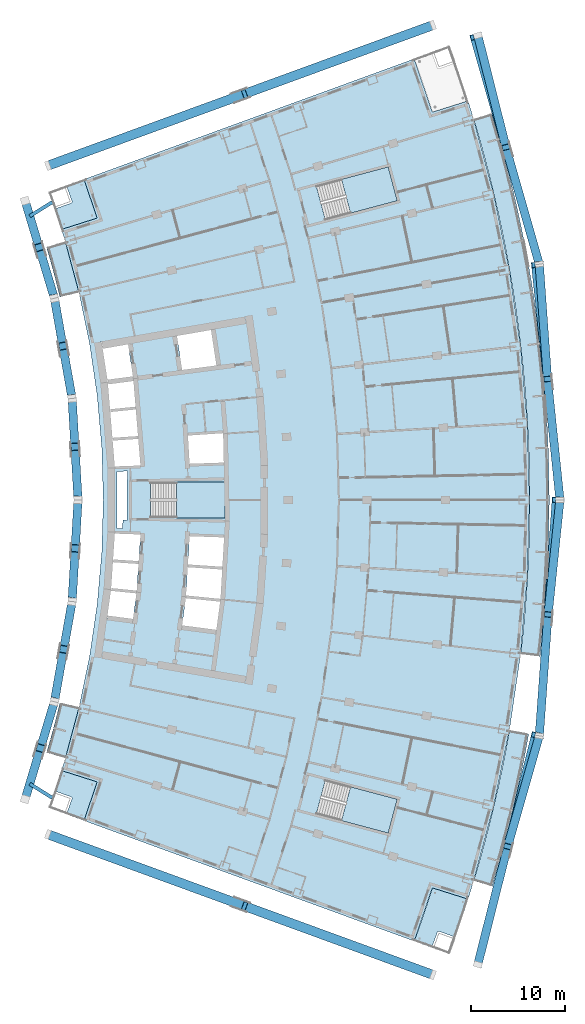
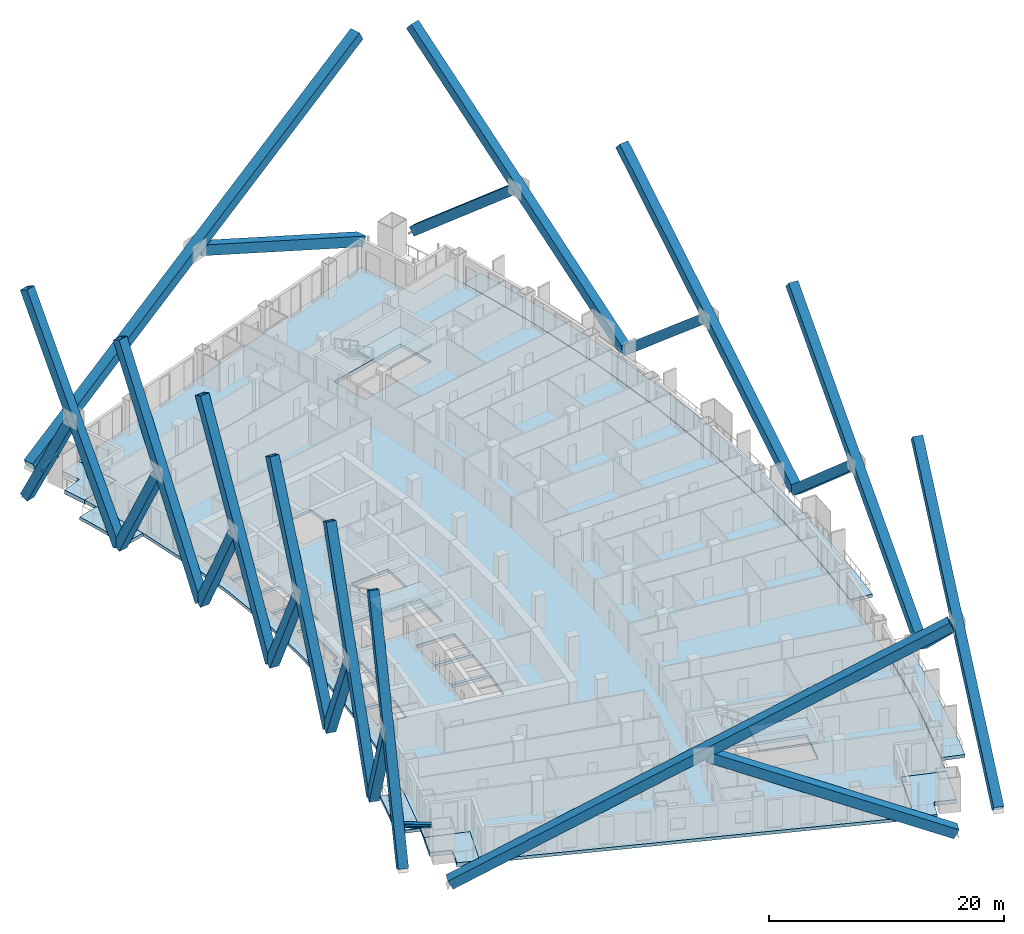
# One storey, part 9 of 24: 26 members, 11 slabs, 3 elements without a shape of their own.
"""IFC4 building model written with IfcOpenShell, lengths in metres."""

import ifcopenshell
import ifcopenshell.guid

model = None  # the IFC model being written
_history = None  # IfcOwnerHistory: only IFC2X3 demands one
_inside = {}  # id of a spatial element -> (the spatial element, [elements in it])
_under = {}  # id of a project, library or spatial element -> (it, [spatial elements below it])
_declared = {}  # id of a project -> (the project, [libraries it declares])
_typed = {}  # id of a type object -> (the type object, [elements of that type])
_made_of = {}  # id of a material, layer set ... -> (it, [elements and type objects made of it])


def new_model(schema):
    """Start an empty IFC model of exactly this schema.

    Asked for "IFC4X3", IfcOpenShell would pick the latest addendum, in which some entities
    have other attributes; the version numbers below select the first issue.
    IFC2X3 requires an IfcOwnerHistory on every rooted entity: one is made here for all.
    """
    global model, _history
    if schema == "IFC4X3":
        model = ifcopenshell.file(schema_version=(4, 3, 0, 0))
    else:
        model = ifcopenshell.file(schema=schema)
    _inside.clear()
    _under.clear()
    _declared.clear()
    _typed.clear()
    _made_of.clear()
    _history = None
    if model.schema == "IFC2X3":
        org = make("IfcOrganization", Name="unknown")
        user = make(
            "IfcPersonAndOrganization",
            ThePerson=make("IfcPerson", FamilyName="unknown"),
            TheOrganization=org,
        )
        app = make(
            "IfcApplication",
            ApplicationDeveloper=org,
            Version="unknown",
            ApplicationFullName="unknown",
            ApplicationIdentifier="unknown",
        )
        _history = make(
            "IfcOwnerHistory",
            OwningUser=user,
            OwningApplication=app,
            ChangeAction="ADDED",
            CreationDate=0,
        )
    return model


def make(cls, **values):
    """One entity of the class cls with the attributes given. An attribute that is None is left unset."""
    return model.create_entity(
        cls, **{name: value for name, value in values.items() if value is not None}
    )


def rooted(cls, **values):
    """An entity with a GlobalId (a new one), such as an element, a storey or a relation."""
    return make(cls, GlobalId=ifcopenshell.guid.new(), OwnerHistory=_history, **values)


def si_unit(unit_type, name, prefix=None):
    """IfcSIUnit, for example si_unit("LENGTHUNIT", "METRE", prefix="MILLI")."""
    return make("IfcSIUnit", UnitType=unit_type, Prefix=prefix, Name=name)


def assignment(units):
    """IfcUnitAssignment: the units of a project."""
    return None if units is None else make("IfcUnitAssignment", Units=units)


def point(xyz):
    """IfcCartesianPoint."""
    return None if xyz is None else make("IfcCartesianPoint", Coordinates=xyz)


def direction(xyz):
    """IfcDirection."""
    return None if xyz is None else make("IfcDirection", DirectionRatios=xyz)


def frame(location, z_axis=None, x_axis=None):
    """IfcAxis2Placement3D, a coordinate frame: its origin and axes. An axis left out is left unset."""
    return make(
        "IfcAxis2Placement3D",
        Location=point(location),
        Axis=direction(z_axis),
        RefDirection=direction(x_axis),
    )


def frame_2d(location, x_axis=None):
    """IfcAxis2Placement2D, a coordinate frame in the plane: its origin and x axis."""
    return make(
        "IfcAxis2Placement2D", Location=point(location), RefDirection=direction(x_axis)
    )


def origin():
    """The frame at (0, 0, 0) with its axes left unset."""
    return frame((0.0, 0.0, 0.0))


def origin_2d():
    """The frame at (0, 0) in the plane with its x axis left unset."""
    return frame_2d((0.0, 0.0))


def place(relative_to, where):
    """IfcLocalPlacement: puts the frame where relative to a parent placement (None: the world)."""
    return make(
        "IfcLocalPlacement", PlacementRelTo=relative_to, RelativePlacement=where
    )


def context(
    kind, dimensions, precision=None, world=None, true_north=None, identifier=None
):
    """IfcGeometricRepresentationContext, for example the 3D "Model" context."""
    return make(
        "IfcGeometricRepresentationContext",
        ContextIdentifier=identifier,
        ContextType=kind,
        CoordinateSpaceDimension=dimensions,
        Precision=precision,
        WorldCoordinateSystem=world,
        TrueNorth=true_north,
    )


def subcontext(parent, identifier, kind, view, scale=None):
    """IfcGeometricRepresentationSubContext, for example "Body" below "Model"."""
    return make(
        "IfcGeometricRepresentationSubContext",
        ContextIdentifier=identifier,
        ContextType=kind,
        ParentContext=parent,
        TargetScale=scale,
        TargetView=view,
    )


def project(units=None, contexts=None):
    """IfcProject with its units and contexts."""
    return rooted(
        "IfcProject",
        Name="project",
        RepresentationContexts=contexts,
        UnitsInContext=assignment(units),
    )


def spatial(cls, under=None, at=None, **own):
    """A site, building, storey or space (cls), placed at a placement, below another one or the project."""
    s = rooted(cls, ObjectPlacement=at, **own)
    if under is not None:
        _under.setdefault(under.id(), (under, []))[1].append(s)
    return s


def polyline(points):
    """IfcPolyline through the points."""
    return make("IfcPolyline", Points=[point(p) for p in points])


def profile(cls, at=None, kind="AREA", **sizes):
    """A parametric profile (cls). Its sizes go by their IFC names, for example OverallWidth=200.0."""
    return make(cls, ProfileType=kind, Position=at, **sizes)


def hollow_rectangle(**sizes):
    """IfcRectangleHollowProfileDef."""
    return profile("IfcRectangleHollowProfileDef", **sizes)


def i_section(**sizes):
    """IfcIShapeProfileDef."""
    return profile("IfcIShapeProfileDef", **sizes)


def outline(outer, holes=None, kind="AREA"):
    """IfcArbitraryClosedProfileDef: a profile drawn as a closed curve; with holes, ...WithVoids."""
    if holes is None:
        return make("IfcArbitraryClosedProfileDef", ProfileType=kind, OuterCurve=outer)
    return make(
        "IfcArbitraryProfileDefWithVoids",
        ProfileType=kind,
        OuterCurve=outer,
        InnerCurves=holes,
    )


def extrude(swept, where, along, depth):
    """IfcExtrudedAreaSolid: the profile swept, set in the frame where, extruded along a direction by depth."""
    return make(
        "IfcExtrudedAreaSolid",
        SweptArea=swept,
        Position=where,
        ExtrudedDirection=direction(along),
        Depth=depth,
    )


def shape(context_of_items, identifier, shape_type, items):
    """IfcShapeRepresentation: the items that make up one representation, for example the "Body"."""
    return make(
        "IfcShapeRepresentation",
        ContextOfItems=context_of_items,
        RepresentationIdentifier=identifier,
        RepresentationType=shape_type,
        Items=items,
    )


def material(Name=None, Category=None):
    """IfcMaterial."""
    return make("IfcMaterial", Name=Name, Category=Category)


def layer(
    of_material, thickness, ventilated=None, Name=None, Category=None, Priority=None
):
    """IfcMaterialLayer: one layer of a wall or slab, of a material (None: an air gap)."""
    return make(
        "IfcMaterialLayer",
        Material=of_material,
        LayerThickness=thickness,
        IsVentilated=ventilated,
        Name=Name,
        Category=Category,
        Priority=Priority,
    )


def layer_set(layers, Name=None):
    """IfcMaterialLayerSet."""
    return make("IfcMaterialLayerSet", MaterialLayers=layers, LayerSetName=Name)


def material_profile(
    of_material, cross_section, Name=None, Category=None, Priority=None
):
    """IfcMaterialProfile: a cross section and its material."""
    return make(
        "IfcMaterialProfile",
        Name=Name,
        Material=of_material,
        Profile=cross_section,
        Priority=Priority,
        Category=Category,
    )


def profile_set(profiles, Name=None, composite=None):
    """IfcMaterialProfileSet."""
    return make(
        "IfcMaterialProfileSet",
        Name=Name,
        MaterialProfiles=profiles,
        CompositeProfile=composite,
    )


def made_of(thing, what):
    """Note that an element or type object is made of a material, layer set ...; save() writes the relation."""
    if what is not None:
        _made_of.setdefault(what.id(), (what, []))[1].append(thing)
    return thing


def type_object(cls, material=None, **own):
    """A type object (cls), such as IfcWallType, which elements share."""
    return made_of(rooted(cls, **own), material)


def element(
    cls,
    number,
    at=None,
    inside=None,
    cuts=None,
    type_object=None,
    material=None,
    context=None,
    identifier="Body",
    shape_type=None,
    held_by="IfcProductDefinitionShape",
    body=None,
    shapes=None,
    **own,
):
    """One element of the class cls, such as IfcWall. Its Tag is "e" and its number.

    at: its placement. inside: the storey or other place that contains it. cuts: it is an
    opening in that element (IfcRelVoidsElement). A single representation is given by context,
    identifier, shape_type and body (its items); several are given by shapes. held_by: the class
    of the entity that holds the representations. save() writes the other relations.
    """
    e = rooted(cls, Tag="e%d" % number, ObjectPlacement=at, **own)
    if body is not None:
        shapes = [shape(context, identifier, shape_type, body)]
    if shapes is not None:
        e.Representation = make(held_by, Representations=shapes)
    if inside is not None:
        _inside.setdefault(inside.id(), (inside, []))[1].append(e)
    if cuts is not None:
        rooted(
            "IfcRelVoidsElement", RelatingBuildingElement=cuts, RelatedOpeningElement=e
        )
    if type_object is not None:
        _typed.setdefault(type_object.id(), (type_object, []))[1].append(e)
    return made_of(e, material)


def aggregate(whole, parts):
    """IfcRelAggregates: a whole, such as a stair, and the parts it consists of."""
    return rooted("IfcRelAggregates", RelatingObject=whole, RelatedObjects=parts)


def save(model, path):
    """Write the relations noted so far, then the file.

    IfcRelAggregates (storeys below a building ...), IfcRelContainedInSpatialStructure (elements
    in a storey), IfcRelDefinesByType, IfcRelAssociatesMaterial and IfcRelDeclares: one each for
    every whole, place, type object, material and project.
    """
    for whole, parts in _under.values():
        aggregate(whole, parts)
    for where, things in _inside.values():
        rooted(
            "IfcRelContainedInSpatialStructure",
            RelatedElements=things,
            RelatingStructure=where,
        )
    for kind, things in _typed.values():
        rooted("IfcRelDefinesByType", RelatedObjects=things, RelatingType=kind)
    for what, things in _made_of.values():
        rooted("IfcRelAssociatesMaterial", RelatedObjects=things, RelatingMaterial=what)
    for by, libraries in _declared.values():
        rooted("IfcRelDeclares", RelatingContext=by, RelatedDefinitions=libraries)
    model.write(path)


model = new_model("IFC4")

# Units and contexts
model_context = context("Model", 3, precision=1e-05, world=origin(), true_north=direction((0.0, 1.0)))
body_context = subcontext(model_context, "Body", "Model", "MODEL_VIEW")
ifc_project = project(units=[si_unit("LENGTHUNIT", "METRE"), si_unit("AREAUNIT", "SQUARE_METRE"), si_unit("VOLUMEUNIT", "CUBIC_METRE"), si_unit("PLANEANGLEUNIT", "RADIAN"), si_unit("MASSUNIT", "GRAM", prefix="KILO")], contexts=[model_context])

# Site, building, storey
site_placement = place(None, origin())
site = spatial("IfcSite", under=ifc_project, at=site_placement, CompositionType="ELEMENT")
building_placement = place(site_placement, origin())
building = spatial("IfcBuilding", under=site, at=building_placement, Name="Alderwake Tower", CompositionType="ELEMENT")
storey_placement = place(building_placement, frame((0.0, 0.0, 104.0)))
storey = spatial("IfcBuildingStorey", under=building, at=storey_placement, Name="L25", CompositionType="ELEMENT", Elevation=104.0)

# Members
ifc_material_1 = material(Name="Steel ASTM A992 Grade 50", Category="steel")
ifc_material_profile_1 = material_profile(ifc_material_1, i_section(OverallWidth=0.3740234375, OverallDepth=0.372314453125, WebThickness=0.016357421875, FlangeThickness=0.026123046875, at=origin_2d()), Name="W14X132")
ifc_profile_set_1 = profile_set([ifc_material_profile_1], Name="Steel ASTM A992 Grade 50")
member_type_1 = type_object("IfcMemberType", Name="Brace node stub W14X132", PredefinedType="MEMBER", material=ifc_profile_set_1)
for number, where, z_axis, x_axis, name in (
    (1, (10.557861328125, 29.140625, 3.393798828125), (-0.849591221683, 0.527441708665, 0.0), (-0.527441708665, -0.849591221683, 0.0), "Brace node stub BS.RR01-C0.1076"),
    (2, (10.557861328125, 92.859375, 3.393798828125), (-0.849591221683, -0.527441708665, 0.0), (0.527441708665, -0.849591221683, 0.0), "Brace node stub BS.RR13-C0.1076"),
):
    element("IfcMember", number, at=place(storey_placement, frame(where, z_axis=z_axis, x_axis=x_axis)), inside=storey, type_object=member_type_1, Name=name, PredefinedType="MEMBER", context=body_context, shape_type="SweptSolid", body=[
        extrude(i_section(OverallWidth=0.3740234375, OverallDepth=0.372314453125, WebThickness=0.016357421875, FlangeThickness=0.026123046875, at=origin_2d()), origin(), (0.0, 0.0, 1.0), 2.851806640625),
    ])
ifc_material_2 = material(Name="Steel ASTM A572 Grade 50", Category="steel")
ifc_material_profile_2 = material_profile(ifc_material_2, hollow_rectangle(XDim=1.0, YDim=1.0, WallThickness=0.06005859375, at=origin_2d()), Name="BOX 1000X1000X60")
ifc_profile_set_2 = profile_set([ifc_material_profile_2], Name="Steel ASTM A572 Grade 50")
member_type_2 = type_object("IfcMemberType", Name="Mega brace end Z2", PredefinedType="BRACE", material=ifc_profile_set_2)
member_1_placement = place(storey_placement, frame((10.099365234375, 25.23681640625, 0.0), z_axis=(0.840973164209, -0.306980460974, 0.445563837919), x_axis=(0.342899081581, 0.939372247754, 0.0)))
element("IfcMember", 3, at=member_1_placement, inside=storey, type_object=member_type_2, Name="Brace BRS2.2.0A", PredefinedType="BRACE", context=body_context, shape_type="SweptSolid", body=[
    extrude(hollow_rectangle(XDim=1.0, YDim=1.0, WallThickness=0.06005859375, at=origin_2d()), origin(), (0.0, 0.0, 1.0), 48.47802734375),
])
member_2_placement = place(storey_placement, frame((51.243896484375, 10.218017578125, 0.0), z_axis=(-0.842498386145, 0.307526723877, 0.442293775047), x_axis=(-0.342888761645, -0.939376014777, 0.0)))
element("IfcMember", 4, at=member_2_placement, inside=storey, type_object=member_type_2, Name="Brace BRS2.2.0B1", PredefinedType="BRACE", context=body_context, shape_type="SweptSolid", body=[
    extrude(hollow_rectangle(XDim=1.0, YDim=1.0, WallThickness=0.06005859375, at=origin_2d()), origin(), (0.0, 0.0, 1.0), 23.898193359375),
])
member_3_placement = place(storey_placement, frame((10.099365234375, 96.76318359375, 0.0), z_axis=(0.840973164209, 0.306980460974, 0.445563837919), x_axis=(-0.342899081581, 0.939372247754, 0.0)))
element("IfcMember", 5, at=member_3_placement, inside=storey, type_object=member_type_2, Name="Brace BRN2.2.0A", PredefinedType="BRACE", context=body_context, shape_type="SweptSolid", body=[
    extrude(hollow_rectangle(XDim=1.0, YDim=1.0, WallThickness=0.06005859375, at=origin_2d()), origin(), (0.0, 0.0, 1.0), 48.47802734375),
])
member_4_placement = place(storey_placement, frame((51.243896484375, 111.781982421875, 0.0), z_axis=(-0.842498386145, -0.307526723877, 0.442293775047), x_axis=(0.342888761645, -0.939376014777, 0.0)))
element("IfcMember", 6, at=member_4_placement, inside=storey, type_object=member_type_2, Name="Brace BRN2.2.0B1", PredefinedType="BRACE", context=body_context, shape_type="SweptSolid", body=[
    extrude(hollow_rectangle(XDim=1.0, YDim=1.0, WallThickness=0.06005859375, at=origin_2d()), origin(), (0.0, 0.0, 1.0), 23.898193359375),
])
ifc_material_3 = material(Name="Steel ASTM A572 Grade 50", Category="steel")
ifc_material_profile_3 = material_profile(ifc_material_3, hollow_rectangle(XDim=0.89990234375, YDim=0.89990234375, WallThickness=0.054931640625, at=origin_2d()), Name="BOX 900X900X55")
ifc_profile_set_3 = profile_set([ifc_material_profile_3], Name="Steel ASTM A572 Grade 50")
member_type_3 = type_object("IfcMemberType", Name="Mega brace face Z2", PredefinedType="BRACE", material=ifc_profile_set_3)
member_5_placement = place(storey_placement, frame((56.060791015625, 11.333984375, 0.0), z_axis=(0.185651677594, 0.737298600956, 0.649556947184), x_axis=(-0.969730434107, 0.244177978464, 0.0)))
element("IfcMember", 7, at=member_5_placement, inside=storey, type_object=member_type_3, Name="Brace BRF2.2.1A", PredefinedType="BRACE", context=body_context, shape_type="SweptSolid", body=[
    extrude(hollow_rectangle(XDim=0.89990234375, YDim=0.89990234375, WallThickness=0.054931640625, at=origin_2d()), origin(), (0.0, 0.0, 1.0), 33.253662109375),
])
member_6_placement = place(storey_placement, frame((62.6298828125, 35.78173828125, 0.0), z_axis=(-0.208894137283, -0.731054089217, 0.649556123863), x_axis=(0.961516463652, -0.274747320507, 0.0)))
element("IfcMember", 8, at=member_6_placement, inside=storey, type_object=member_type_3, Name="Brace BRF2.2.1B1", PredefinedType="BRACE", context=body_context, shape_type="SweptSolid", body=[
    extrude(hollow_rectangle(XDim=0.89990234375, YDim=0.89990234375, WallThickness=0.054931640625, at=origin_2d()), origin(), (0.0, 0.0, 1.0), 16.191650390625),
])
member_7_placement = place(storey_placement, frame((62.6298828125, 35.78173828125, 0.0), z_axis=(0.054446615295, 0.758361472529, 0.649556343258), x_axis=(-0.99743265478, 0.071610747651, 0.0)))
element("IfcMember", 9, at=member_7_placement, inside=storey, type_object=member_type_3, Name="Brace BRF2.2.4A", PredefinedType="BRACE", context=body_context, shape_type="SweptSolid", body=[
    extrude(hollow_rectangle(XDim=0.89990234375, YDim=0.89990234375, WallThickness=0.054931640625, at=origin_2d()), origin(), (0.0, 0.0, 1.0), 33.253662109375),
])
member_8_placement = place(storey_placement, frame((64.842041015625, 61.0, 0.0), z_axis=(-0.078406631164, -0.756262113973, 0.649553704599), x_axis=(0.994668530615, -0.103123780987, 0.0)))
element("IfcMember", 10, at=member_8_placement, inside=storey, type_object=member_type_3, Name="Brace BRF2.2.4B1", PredefinedType="BRACE", context=body_context, shape_type="SweptSolid", body=[
    extrude(hollow_rectangle(XDim=0.89990234375, YDim=0.89990234375, WallThickness=0.054931640625, at=origin_2d()), origin(), (0.0, 0.0, 1.0), 16.191650390625),
])
member_9_placement = place(storey_placement, frame((64.842041015625, 61.0, 0.0), z_axis=(-0.078417773073, 0.756256862741, 0.649558473445), x_axis=(-0.994666953889, -0.103138987976, 0.0)))
element("IfcMember", 11, at=member_9_placement, inside=storey, type_object=member_type_3, Name="Brace BRF2.2.7A", PredefinedType="BRACE", context=body_context, shape_type="SweptSolid", body=[
    extrude(hollow_rectangle(XDim=0.89990234375, YDim=0.89990234375, WallThickness=0.054931640625, at=origin_2d()), origin(), (0.0, 0.0, 1.0), 33.25341796875),
])
member_10_placement = place(storey_placement, frame((62.6298828125, 86.21826171875, 0.0), z_axis=(0.054446986608, -0.758367665033, 0.649549082272), x_axis=(0.997432661664, 0.071610651767, 0.0)))
element("IfcMember", 12, at=member_10_placement, inside=storey, type_object=member_type_3, Name="Brace BRF2.2.7B1", PredefinedType="BRACE", context=body_context, shape_type="SweptSolid", body=[
    extrude(hollow_rectangle(XDim=0.89990234375, YDim=0.89990234375, WallThickness=0.054931640625, at=origin_2d()), origin(), (0.0, 0.0, 1.0), 16.191650390625),
])
member_11_placement = place(storey_placement, frame((62.6298828125, 86.21826171875, 0.0), z_axis=(-0.208889070776, 0.731053013268, 0.649558964146), x_axis=(-0.961518117195, -0.274741533638, 0.0)))
element("IfcMember", 13, at=member_11_placement, inside=storey, type_object=member_type_3, Name="Brace BRF2.2.10A", PredefinedType="BRACE", context=body_context, shape_type="SweptSolid", body=[
    extrude(hollow_rectangle(XDim=0.89990234375, YDim=0.89990234375, WallThickness=0.054931640625, at=origin_2d()), origin(), (0.0, 0.0, 1.0), 33.25341796875),
])
member_12_placement = place(storey_placement, frame((56.060791015625, 110.666015625, 0.0), z_axis=(0.185656635112, -0.737303971439, 0.649549434254), x_axis=(0.969729311317, 0.244182437478, 0.0)))
element("IfcMember", 14, at=member_12_placement, inside=storey, type_object=member_type_3, Name="Brace BRF2.2.10B1", PredefinedType="BRACE", context=body_context, shape_type="SweptSolid", body=[
    extrude(hollow_rectangle(XDim=0.89990234375, YDim=0.89990234375, WallThickness=0.054931640625, at=origin_2d()), origin(), (0.0, 0.0, 1.0), 16.191650390625),
])
member_13_placement = place(storey_placement, frame((7.6435546875, 29.007568359375, 0.0), z_axis=(0.129343546132, 0.430822122987, 0.893119558301), x_axis=(-0.957766969321, 0.287545531138, 0.0)))
element("IfcMember", 15, at=member_13_placement, inside=storey, type_object=member_type_3, Name="Brace BRR2.2.1A", PredefinedType="BRACE", context=body_context, shape_type="SweptSolid", body=[
    extrude(hollow_rectangle(XDim=0.89990234375, YDim=0.89990234375, WallThickness=0.054931640625, at=origin_2d()), origin(), (0.0, 0.0, 1.0), 24.18505859375),
])
member_14_placement = place(storey_placement, frame((10.771728515625, 39.427001953125, 0.0), z_axis=(-0.129340279084, -0.430823637978, 0.893119300635), x_axis=(0.957769248011, -0.287537941087, 0.0)))
element("IfcMember", 16, at=member_14_placement, inside=storey, type_object=member_type_3, Name="Brace BRR2.2.1B1", PredefinedType="BRACE", context=body_context, shape_type="SweptSolid", body=[
    extrude(hollow_rectangle(XDim=0.89990234375, YDim=0.89990234375, WallThickness=0.054931640625, at=origin_2d()), origin(), (0.0, 0.0, 1.0), 11.527587890625),
])
member_15_placement = place(storey_placement, frame((10.771728515625, 39.427001953125, 0.0), z_axis=(0.078314901955, 0.442946581964, 0.893120989373), x_axis=(-0.984727251906, 0.174104104931, 0.0)))
element("IfcMember", 17, at=member_15_placement, inside=storey, type_object=member_type_3, Name="Brace BRR2.2.3A", PredefinedType="BRACE", context=body_context, shape_type="SweptSolid", body=[
    extrude(hollow_rectangle(XDim=0.89990234375, YDim=0.89990234375, WallThickness=0.054931640625, at=origin_2d()), origin(), (0.0, 0.0, 1.0), 24.18505859375),
])
member_16_placement = place(storey_placement, frame((12.665771484375, 50.1396484375, 0.0), z_axis=(-0.078320401502, -0.442940204709, 0.893123669914), x_axis=(0.9847247259, -0.174118391335, 0.0)))
element("IfcMember", 18, at=member_16_placement, inside=storey, type_object=member_type_3, Name="Brace BRR2.2.3B1", PredefinedType="BRACE", context=body_context, shape_type="SweptSolid", body=[
    extrude(hollow_rectangle(XDim=0.89990234375, YDim=0.89990234375, WallThickness=0.054931640625, at=origin_2d()), origin(), (0.0, 0.0, 1.0), 11.52734375),
])
member_17_placement = place(storey_placement, frame((12.665771484375, 50.1396484375, 0.0), z_axis=(0.026226073785, 0.449053374223, 0.893119958434), x_axis=(-0.998298894059, 0.058303671585, 0.0)))
element("IfcMember", 19, at=member_17_placement, inside=storey, type_object=member_type_3, Name="Brace BRR2.2.5A", PredefinedType="BRACE", context=body_context, shape_type="SweptSolid", body=[
    extrude(hollow_rectangle(XDim=0.89990234375, YDim=0.89990234375, WallThickness=0.054931640625, at=origin_2d()), origin(), (0.0, 0.0, 1.0), 24.18505859375),
])
member_18_placement = place(storey_placement, frame((13.300048828125, 61.0, 0.0), z_axis=(-0.026219583809, -0.449058025452, 0.893117810371), x_axis=(0.998299768862, -0.058288690933, 0.0)))
element("IfcMember", 20, at=member_18_placement, inside=storey, type_object=member_type_3, Name="Brace BRR2.2.5B1", PredefinedType="BRACE", context=body_context, shape_type="SweptSolid", body=[
    extrude(hollow_rectangle(XDim=0.89990234375, YDim=0.89990234375, WallThickness=0.054931640625, at=origin_2d()), origin(), (0.0, 0.0, 1.0), 11.527587890625),
])
member_19_placement = place(storey_placement, frame((13.300048828125, 61.0, 0.0), z_axis=(-0.026226073785, 0.449053374223, 0.893119958434), x_axis=(-0.998298894059, -0.058303671585, 0.0)))
element("IfcMember", 21, at=member_19_placement, inside=storey, type_object=member_type_3, Name="Brace BRR2.2.7A", PredefinedType="BRACE", context=body_context, shape_type="SweptSolid", body=[
    extrude(hollow_rectangle(XDim=0.89990234375, YDim=0.89990234375, WallThickness=0.054931640625, at=origin_2d()), origin(), (0.0, 0.0, 1.0), 24.18505859375),
])
member_20_placement = place(storey_placement, frame((12.665771484375, 71.8603515625, 0.0), z_axis=(0.026219583809, -0.449058025452, 0.893117810371), x_axis=(0.998299768862, 0.058288690933, 0.0)))
element("IfcMember", 22, at=member_20_placement, inside=storey, type_object=member_type_3, Name="Brace BRR2.2.7B1", PredefinedType="BRACE", context=body_context, shape_type="SweptSolid", body=[
    extrude(hollow_rectangle(XDim=0.89990234375, YDim=0.89990234375, WallThickness=0.054931640625, at=origin_2d()), origin(), (0.0, 0.0, 1.0), 11.527587890625),
])
member_21_placement = place(storey_placement, frame((12.665771484375, 71.8603515625, 0.0), z_axis=(-0.078314901955, 0.442946581964, 0.893120989373), x_axis=(-0.984727251906, -0.174104104931, 0.0)))
element("IfcMember", 23, at=member_21_placement, inside=storey, type_object=member_type_3, Name="Brace BRR2.2.9A", PredefinedType="BRACE", context=body_context, shape_type="SweptSolid", body=[
    extrude(hollow_rectangle(XDim=0.89990234375, YDim=0.89990234375, WallThickness=0.054931640625, at=origin_2d()), origin(), (0.0, 0.0, 1.0), 24.18505859375),
])
member_22_placement = place(storey_placement, frame((10.771728515625, 82.572998046875, 0.0), z_axis=(0.078319666764, -0.442957228334, 0.893115291362), x_axis=(0.984726153271, 0.174110318661, 0.0)))
element("IfcMember", 24, at=member_22_placement, inside=storey, type_object=member_type_3, Name="Brace BRR2.2.9B1", PredefinedType="BRACE", context=body_context, shape_type="SweptSolid", body=[
    extrude(hollow_rectangle(XDim=0.89990234375, YDim=0.89990234375, WallThickness=0.054931640625, at=origin_2d()), origin(), (0.0, 0.0, 1.0), 11.527587890625),
])
member_23_placement = place(storey_placement, frame((10.771728515625, 82.572998046875, 0.0), z_axis=(-0.129343546132, 0.430822122987, 0.893119558301), x_axis=(-0.957766969321, -0.287545531138, 0.0)))
element("IfcMember", 25, at=member_23_placement, inside=storey, type_object=member_type_3, Name="Brace BRR2.2.11A", PredefinedType="BRACE", context=body_context, shape_type="SweptSolid", body=[
    extrude(hollow_rectangle(XDim=0.89990234375, YDim=0.89990234375, WallThickness=0.054931640625, at=origin_2d()), origin(), (0.0, 0.0, 1.0), 24.18505859375),
])
member_24_placement = place(storey_placement, frame((7.6435546875, 92.992431640625, 0.0), z_axis=(0.129340279084, -0.430823637978, 0.893119300635), x_axis=(0.957769248011, 0.287537941087, 0.0)))
element("IfcMember", 26, at=member_24_placement, inside=storey, type_object=member_type_3, Name="Brace BRR2.2.11B1", PredefinedType="BRACE", context=body_context, shape_type="SweptSolid", body=[
    extrude(hollow_rectangle(XDim=0.89990234375, YDim=0.89990234375, WallThickness=0.054931640625, at=origin_2d()), origin(), (0.0, 0.0, 1.0), 11.527587890625),
])

# Slabs
ifc_material_4 = material(Name="Concrete C50/60", Category="concrete")
ifc_layer_1 = layer(ifc_material_4, 0.320068359375)
ifc_layer_set_1 = layer_set([ifc_layer_1], Name="Balcony slab 320")
slab_type_1 = type_object("IfcSlabType", Name="Balcony slab 320", PredefinedType="FLOOR", material=ifc_layer_set_1)
slab_1_placement = place(storey_placement, frame((0.0, 0.0, -0.320068359375)))
element("IfcSlab", 27, at=slab_1_placement, inside=storey, type_object=slab_type_1, Name="Balcony BF02", PredefinedType="FLOOR", context=body_context, shape_type="SweptSolid", body=[
    extrude(outline(polyline([(58.77734375, 23.71044921875), (59.306396484375, 25.73828125), (59.805908203125, 27.7734375), (60.275634765625, 29.815673828125), (60.71533203125, 31.86474609375), (61.125244140625, 33.919921875), (61.505126953125, 35.980712890625), (59.437255859375, 36.34619140625), (59.06298828125, 34.3154296875), (58.658935546875, 32.290283203125), (58.2255859375, 30.271484375), (57.7626953125, 28.259033203125), (57.270751953125, 26.25341796875), (56.74951171875, 24.25537109375), (56.198974609375, 22.26513671875), (55.61962890625, 20.283203125), (57.631103515625, 19.67919921875), (58.218994140625, 21.690673828125), (58.77734375, 23.71044921875)])), origin(), (0.0, 0.0, 1.0), 0.320068359375),
])
slab_2_placement = place(storey_placement, frame((0.0, 0.0, -0.320068359375)))
element("IfcSlab", 28, at=slab_2_placement, inside=storey, type_object=slab_type_1, Name="Balcony BF05", PredefinedType="FLOOR", context=body_context, shape_type="SweptSolid", body=[
    extrude(outline(polyline([(62.951904296875, 46.356201171875), (63.150146484375, 48.4423828125), (63.318115234375, 50.53125), (63.45556640625, 52.622314453125), (63.5625, 54.715087890625), (63.638916015625, 56.809326171875), (63.684814453125, 58.904296875), (63.699951171875, 61.0), (63.684814453125, 63.095703125), (63.638916015625, 65.190673828125), (63.5625, 67.284912109375), (63.45556640625, 69.377685546875), (63.318115234375, 71.46875), (63.150146484375, 73.5576171875), (62.951904296875, 75.643798828125), (62.72314453125, 77.72705078125), (62.464111328125, 79.806396484375), (62.174560546875, 81.882080078125), (61.85498046875, 83.953125), (61.505126953125, 86.019287109375), (61.125244140625, 88.080078125), (60.71533203125, 90.13525390625), (60.275634765625, 92.184326171875), (59.805908203125, 94.2265625), (59.306396484375, 96.26171875), (58.77734375, 98.28955078125), (58.218994140625, 100.309326171875), (57.631103515625, 102.32080078125), (55.61962890625, 101.716796875), (56.198974609375, 99.73486328125), (56.74951171875, 97.74462890625), (57.270751953125, 95.74658203125), (57.7626953125, 93.740966796875), (58.2255859375, 91.728515625), (58.658935546875, 89.709716796875), (59.06298828125, 87.6845703125), (59.437255859375, 85.65380859375), (59.781982421875, 83.61767578125), (60.096923828125, 81.576904296875), (60.382080078125, 79.53173828125), (60.637451171875, 77.482421875), (60.86279296875, 75.429931640625), (61.058349609375, 73.374267578125), (61.2236328125, 71.31591796875), (61.359130859375, 69.25537109375), (61.464599609375, 67.193115234375), (61.539794921875, 65.12939453125), (61.5849609375, 63.06494140625), (61.60009765625, 61.0), (61.5849609375, 58.93505859375), (61.539794921875, 56.87060546875), (61.464599609375, 54.806884765625), (61.359130859375, 52.74462890625), (61.2236328125, 50.68408203125), (61.058349609375, 48.625732421875), (60.86279296875, 46.570068359375), (60.637451171875, 44.517578125), (62.72314453125, 44.27294921875), (62.951904296875, 46.356201171875)])), origin(), (0.0, 0.0, 1.0), 0.320068359375),
])
slab_3_placement = place(storey_placement, frame((0.0, 0.0, -0.320068359375)))
element("IfcSlab", 29, at=slab_3_placement, inside=storey, type_object=slab_type_1, Name="Balcony BR02", PredefinedType="FLOOR", context=body_context, shape_type="SweptSolid", body=[
    extrude(outline(polyline([(9.93408203125, 33.999267578125), (11.945556640625, 33.395263671875), (13.3984375, 38.802734375), (11.35546875, 39.288330078125), (11.029052734375, 37.95849609375), (10.683349609375, 36.63330078125), (10.318359375, 35.3134765625), (9.93408203125, 33.999267578125)])), origin(), (0.0, 0.0, 1.0), 0.320068359375),
])
slab_4_placement = place(storey_placement, frame((0.0, 0.0, -0.320068359375)))
element("IfcSlab", 30, at=slab_4_placement, inside=storey, type_object=slab_type_1, Name="Balcony BR11", PredefinedType="FLOOR", context=body_context, shape_type="SweptSolid", body=[
    extrude(outline(polyline([(11.35546875, 82.711669921875), (13.3984375, 83.197265625), (11.945556640625, 88.604736328125), (9.93408203125, 88.000732421875), (10.318359375, 86.6865234375), (10.683349609375, 85.36669921875), (11.029052734375, 84.04150390625), (11.35546875, 82.711669921875)])), origin(), (0.0, 0.0, 1.0), 0.320068359375),
])
ifc_material_5 = material(Name="Concrete C50/60", Category="concrete")
ifc_layer_2 = layer(ifc_material_5, 0.320068359375)
ifc_layer_set_2 = layer_set([ifc_layer_2], Name="Concrete C50/60 post-tensioned flat plate 320")
slab_type_2 = type_object("IfcSlabType", Name="Concrete C50/60 post-tensioned flat plate 320", PredefinedType="FLOOR", material=ifc_layer_set_2)
slab_5_placement = place(storey_placement, frame((0.0, 0.0, -0.320068359375)))
element("IfcSlab", 31, at=slab_5_placement, inside=storey, type_object=slab_type_2, Name="Floor slab L25", PredefinedType="FLOOR", context=body_context, shape_type="SweptSolid", body=[
    extrude(outline(polyline([(11.533203125, 32.057373046875), (11.945556640625, 33.395263671875), (13.3984375, 38.802734375), (14.53369140625, 44.28564453125), (15.347412109375, 49.825439453125), (15.836669921875, 55.4033203125), (16.0, 61.0), (15.836669921875, 66.5966796875), (15.347412109375, 72.174560546875), (14.53369140625, 77.71435546875), (13.3984375, 83.197265625), (11.945556640625, 88.604736328125), (11.533203125, 89.942626953125), (15.34716796875, 91.1484375), (13.937255859375, 95.289794921875), (49.2578125, 108.1826171875), (51.197509765625, 102.484375), (55.011474609375, 103.690185546875), (55.61962890625, 101.716796875), (57.7626953125, 93.740966796875), (59.437255859375, 85.65380859375), (60.637451171875, 77.482421875), (61.359130859375, 69.25537109375), (61.60009765625, 61.0), (61.359130859375, 52.74462890625), (60.637451171875, 44.517578125), (59.437255859375, 36.34619140625), (57.7626953125, 28.259033203125), (55.61962890625, 20.283203125), (55.011474609375, 18.309814453125), (51.197509765625, 19.515625), (49.2578125, 13.8173828125), (13.937255859375, 26.710205078125), (15.34716796875, 30.8515625), (11.533203125, 32.057373046875)]), holes=[polyline([(16.84375, 51.279541015625), (16.8583984375, 51.4287109375), (16.873291015625, 51.577880859375), (19.574951171875, 51.31103515625), (19.76611328125, 54.161376953125), (17.0537109375, 54.34326171875), (17.06396484375, 54.492919921875), (17.073974609375, 54.642578125), (19.7861328125, 54.460693359375), (19.977294921875, 57.31103515625), (17.263916015625, 57.406982421875), (17.269287109375, 57.556884765625), (17.2392578125, 57.55810546875), (17.033935546875, 54.494873046875), (16.82861328125, 51.431640625), (16.82861328125, 51.431640625), (16.41015625, 48.39013671875), (16.43994140625, 48.38623046875), (16.472412109375, 48.63427734375), (19.18017578125, 48.280029296875), (19.545166015625, 51.012451171875), (16.84375, 51.279541015625)]), polyline([(29.0, 62.875), (21.050048828125, 62.875), (21.050048828125, 59.125), (29.0, 59.125), (29.0, 62.875)]), polyline([(19.738525390625, 67.5361328125), (17.02587890625, 67.354248046875), (17.015869140625, 67.50390625), (17.005859375, 67.653564453125), (19.7138671875, 67.835205078125), (19.47802734375, 70.679443359375), (16.777099609375, 70.41259765625), (16.76220703125, 70.561767578125), (16.74755859375, 70.7109375), (19.453125, 70.978515625), (19.2255859375, 73.725830078125), (16.541015625, 73.374755859375), (16.508544921875, 73.62255859375), (16.47607421875, 73.87060546875), (19.16796875, 74.22265625), (18.656982421875, 77.6376953125), (18.90283203125, 77.674560546875), (18.900146484375, 77.690673828125), (15.96826171875, 77.183837890625), (15.836669921875, 77.94482421875), (15.58544921875, 77.900390625), (15.586181640625, 77.896484375), (15.8154296875, 77.931884765625), (16.478515625, 73.61865234375), (16.47900390625, 73.61376953125), (16.732421875, 70.558837890625), (16.98583984375, 67.501953125), (17.239501953125, 64.4443359375), (17.239501953125, 64.44189453125), (17.269287109375, 64.443115234375), (17.263916015625, 64.593017578125), (19.974609375, 64.68896484375), (19.738525390625, 67.5361328125)]), polyline([(47.436279296875, 28.996826171875), (39.754150390625, 31.043212890625), (38.7890625, 27.41943359375), (46.47119140625, 25.373291015625), (47.436279296875, 28.996826171875)]), polyline([(24.82470703125, 50.49072265625), (24.8291015625, 50.534423828125), (24.825439453125, 50.534912109375), (24.43212890625, 47.59326171875), (28.095703125, 47.114013671875), (28.497802734375, 50.127685546875), (24.82470703125, 50.49072265625)]), polyline([(25.031005859375, 53.808349609375), (24.84521484375, 50.735595703125), (24.848876953125, 50.7353515625), (24.854248046875, 50.789306640625), (28.5341796875, 50.42578125), (28.719970703125, 53.56103515625), (25.031005859375, 53.808349609375)]), polyline([(28.92333984375, 56.994384765625), (25.2314453125, 57.125), (25.049072265625, 54.10791015625), (28.737548828125, 53.860595703125), (28.92333984375, 56.994384765625)]), polyline([(28.819091796875, 68.089599609375), (28.814697265625, 68.14453125), (25.05126953125, 67.892333984375), (25.232177734375, 64.875), (28.887451171875, 65.00439453125), (28.819091796875, 68.089599609375)]), polyline([(28.09619140625, 75.390380859375), (27.523193359375, 79.181396484375), (23.877685546875, 78.551025390625), (24.427001953125, 74.915283203125), (24.368896484375, 74.90673828125), (24.36962890625, 74.90283203125), (28.09619140625, 75.390380859375)]), polyline([(46.47119140625, 96.626708984375), (38.7890625, 94.58056640625), (39.754150390625, 90.956787109375), (47.436279296875, 93.003173828125), (46.47119140625, 96.626708984375)]), polyline([(17.489501953125, 64.050537109375), (17.4892578125, 57.949462890625), (18.065673828125, 57.928955078125), (18.090576171875, 58.84326171875), (18.544189453125, 58.8310546875), (18.529296875, 58.8681640625), (18.5234375, 58.89208984375), (18.5185546875, 58.94091796875), (18.5185546875, 63.060302734375), (18.5234375, 63.109130859375), (18.53759765625, 63.156005859375), (18.560791015625, 63.19921875), (18.588623046875, 63.233642578125), (18.565185546875, 64.088623046875), (17.489501953125, 64.050537109375)])]), origin(), (0.0, 0.0, 1.0), 0.320068359375),
])

# Stair, slab
ifc_material_6 = material(Name="Concrete C40/50", Category="concrete")
stair_type = type_object("IfcStairType", Name="Core exit stair", PredefinedType="HALF_TURN_STAIR", material=ifc_material_6)
stair_1_placement = place(storey_placement, origin())
stair_1 = element("IfcStair", 32, at=stair_1_placement, inside=storey, type_object=stair_type, Name="L25 Exit Stair B", PredefinedType="HALF_TURN_STAIR")
ifc_material_7 = material(Name="Concrete C40/50", Category="concrete")
ifc_layer_3 = layer(ifc_material_7, 0.199951171875)
ifc_layer_set_3 = layer_set([ifc_layer_3], Name="Core stair landing 200")
slab_type_3 = type_object("IfcSlabType", Name="Core stair landing 200", PredefinedType="LANDING", material=ifc_layer_set_3)
slab_6_placement = place(storey_placement, frame((0.0, 0.0, 1.60009765625)))
slab_6 = element("IfcSlab", 33, at=slab_6_placement, type_object=slab_type_3, Name="ST-B landing 1", PredefinedType="LANDING", context=body_context, shape_type="SweptSolid", body=[
    extrude(outline(polyline([(23.830078125, 59.074951171875), (29.0, 59.074951171875), (29.0, 62.925048828125), (23.830078125, 62.925048828125), (23.830078125, 59.074951171875)])), origin(), (0.0, 0.0, 1.0), 0.199951171875),
])
aggregate(stair_1, [slab_6])

stair_2_placement = place(storey_placement, origin())
stair_2 = element("IfcStair", 34, at=stair_2_placement, inside=storey, type_object=stair_type, Name="L25 Exit Stair A", PredefinedType="HALF_TURN_STAIR")
slab_7_placement = place(storey_placement, frame((0.0, 0.0, 1.60009765625)))
slab_7 = element("IfcSlab", 35, at=slab_7_placement, type_object=slab_type_3, Name="ST-A landing 1", PredefinedType="LANDING", context=body_context, shape_type="SweptSolid", body=[
    extrude(outline(polyline([(42.440673828125, 91.67236328125), (47.436279296875, 93.003173828125), (46.47119140625, 96.626708984375), (41.475341796875, 95.296142578125), (42.440673828125, 91.67236328125)])), origin(), (0.0, 0.0, 1.0), 0.199951171875),
])
aggregate(stair_2, [slab_7])

stair_3_placement = place(storey_placement, origin())
stair_3 = element("IfcStair", 36, at=stair_3_placement, inside=storey, type_object=stair_type, Name="L25 Exit Stair C", PredefinedType="HALF_TURN_STAIR")
slab_8_placement = place(storey_placement, frame((0.0, 0.0, 1.60009765625)))
slab_8 = element("IfcSlab", 37, at=slab_8_placement, type_object=slab_type_3, Name="ST-C landing 1", PredefinedType="LANDING", context=body_context, shape_type="SweptSolid", body=[
    extrude(outline(polyline([(41.475341796875, 26.703857421875), (46.47119140625, 25.373291015625), (47.436279296875, 28.996826171875), (42.4404296875, 30.32763671875), (41.475341796875, 26.703857421875)])), origin(), (0.0, 0.0, 1.0), 0.199951171875),
])
aggregate(stair_3, [slab_8])

# Slabs
ifc_material_8 = material(Name="Concrete C50/60", Category="concrete")
ifc_layer_4 = layer(ifc_material_8, 0.419921875)
ifc_layer_set_4 = layer_set([ifc_layer_4], Name="Terrace slab 420")
slab_type_4 = type_object("IfcSlabType", Name="Terrace slab 420", PredefinedType="FLOOR", material=ifc_layer_set_4)
slab_9_placement = place(storey_placement, frame((0.0, 0.0, -0.419921875)))
element("IfcSlab", 38, at=slab_9_placement, inside=storey, type_object=slab_type_4, Name="Corner terrace FS", PredefinedType="FLOOR", context=body_context, shape_type="SweptSolid", body=[
    extrude(outline(polyline([(53.708984375, 14.390625), (53.65478515625, 14.23876953125), (51.91748046875, 14.860595703125), (51.9033203125, 14.86474609375), (51.888916015625, 14.86767578125), (51.874267578125, 14.869140625), (51.859619140625, 14.869140625), (51.844970703125, 14.86767578125), (51.830322265625, 14.86474609375), (51.81640625, 14.860595703125), (51.802734375, 14.85498046875), (51.789794921875, 14.847900390625), (51.777587890625, 14.839599609375), (51.76611328125, 14.830322265625), (51.755859375, 14.820068359375), (51.746337890625, 14.80859375), (51.73828125, 14.79638671875), (51.731201171875, 14.783447265625), (51.7255859375, 14.769775390625), (51.15283203125, 13.169189453125), (51.148681640625, 13.155029296875), (51.145751953125, 13.140625), (51.14453125, 13.12841796875), (49.2578125, 13.8173828125), (49.931884765625, 15.707275390625), (50.57861328125, 17.606689453125), (51.197509765625, 19.515625), (55.011474609375, 18.309814453125), (54.37451171875, 16.345458984375), (53.708984375, 14.390625)])), origin(), (0.0, 0.0, 1.0), 0.419921875),
])
slab_10_placement = place(storey_placement, frame((0.0, 0.0, -0.419921875)))
element("IfcSlab", 39, at=slab_10_placement, inside=storey, type_object=slab_type_4, Name="Corner terrace RS", PredefinedType="FLOOR", context=body_context, shape_type="SweptSolid", body=[
    extrude(outline(polyline([(13.937255859375, 26.710205078125), (12.04931640625, 27.3994140625), (12.0537109375, 27.40380859375), (12.06298828125, 27.4150390625), (12.071044921875, 27.427490234375), (12.077880859375, 27.4404296875), (12.08349609375, 27.4541015625), (12.651611328125, 29.056396484375), (12.65576171875, 29.0703125), (12.65869140625, 29.084716796875), (12.66015625, 29.099609375), (12.659912109375, 29.1142578125), (12.658447265625, 29.12890625), (12.655517578125, 29.143310546875), (12.6513671875, 29.157470703125), (12.6455078125, 29.1708984375), (12.638671875, 29.183837890625), (12.63037109375, 29.196044921875), (12.62109375, 29.20751953125), (12.610595703125, 29.218017578125), (12.59912109375, 29.227294921875), (12.5869140625, 29.2353515625), (12.573974609375, 29.2421875), (12.560302734375, 29.247802734375), (10.8095703125, 29.868408203125), (11.101318359375, 30.7255859375), (11.533203125, 32.057373046875), (15.34716796875, 30.8515625), (13.937255859375, 26.710205078125)])), origin(), (0.0, 0.0, 1.0), 0.419921875),
])
slab_11_placement = place(storey_placement, frame((0.0, 0.0, -0.419921875)))
element("IfcSlab", 40, at=slab_11_placement, inside=storey, type_object=slab_type_4, Name="Corner terrace RN", PredefinedType="FLOOR", context=body_context, shape_type="SweptSolid", body=[
    extrude(outline(polyline([(10.8095703125, 92.131591796875), (12.560302734375, 92.752197265625), (12.573974609375, 92.7578125), (12.5869140625, 92.7646484375), (12.59912109375, 92.772705078125), (12.610595703125, 92.781982421875), (12.62109375, 92.79248046875), (12.63037109375, 92.803955078125), (12.638671875, 92.816162109375), (12.6455078125, 92.8291015625), (12.6513671875, 92.842529296875), (12.655517578125, 92.856689453125), (12.658447265625, 92.87109375), (12.659912109375, 92.8857421875), (12.66015625, 92.900390625), (12.65869140625, 92.915283203125), (12.65576171875, 92.9296875), (12.651611328125, 92.943603515625), (12.08349609375, 94.5458984375), (12.077880859375, 94.5595703125), (12.071044921875, 94.572509765625), (12.06298828125, 94.5849609375), (12.0537109375, 94.59619140625), (12.04931640625, 94.6005859375), (13.937255859375, 95.289794921875), (15.34716796875, 91.1484375), (11.533203125, 89.942626953125), (11.101318359375, 91.2744140625), (10.8095703125, 92.131591796875)])), origin(), (0.0, 0.0, 1.0), 0.419921875),
])

save(model, "model.ifc")
